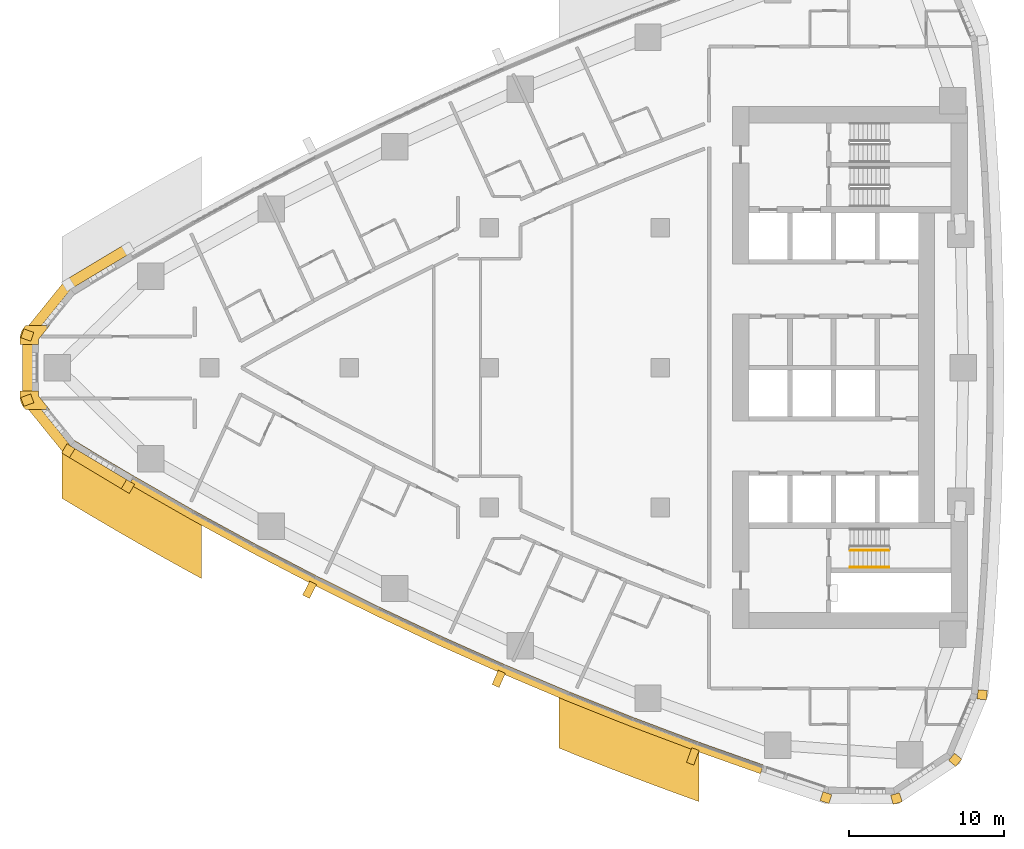
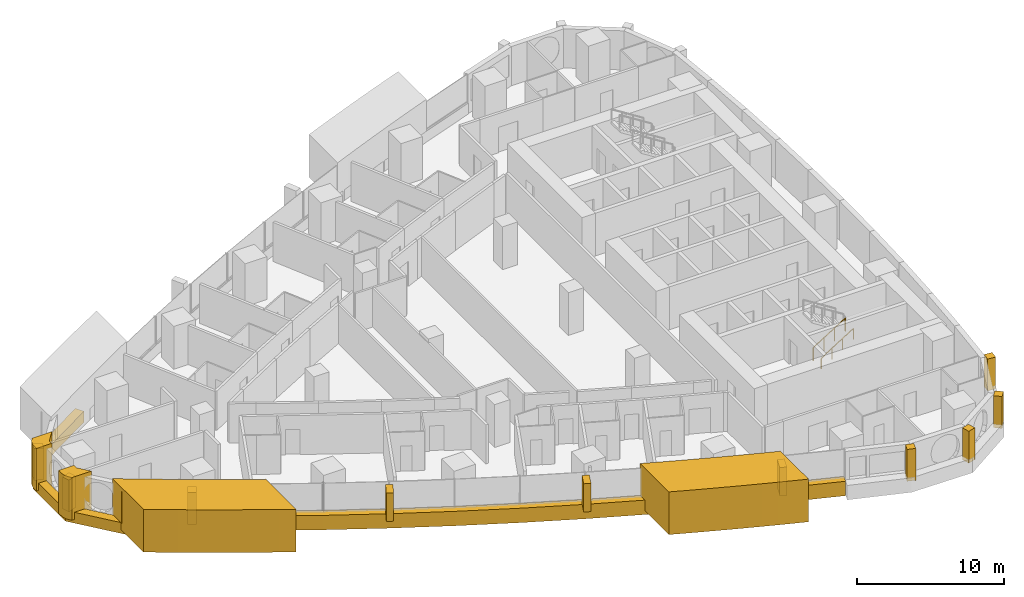
# One storey, part 14 of 17: 17 coverings, 2 railings.
"""IFC4 building model written with IfcOpenShell, lengths in metres."""

import ifcopenshell
import ifcopenshell.guid

model = None  # the IFC model being written
_history = None  # IfcOwnerHistory: only IFC2X3 demands one
_inside = {}  # id of a spatial element -> (the spatial element, [elements in it])
_under = {}  # id of a project, library or spatial element -> (it, [spatial elements below it])
_declared = {}  # id of a project -> (the project, [libraries it declares])
_typed = {}  # id of a type object -> (the type object, [elements of that type])
_made_of = {}  # id of a material, layer set ... -> (it, [elements and type objects made of it])


def new_model(schema):
    """Start an empty IFC model of exactly this schema.

    Asked for "IFC4X3", IfcOpenShell would pick the latest addendum, in which some entities
    have other attributes; the version numbers below select the first issue.
    IFC2X3 requires an IfcOwnerHistory on every rooted entity: one is made here for all.
    """
    global model, _history
    if schema == "IFC4X3":
        model = ifcopenshell.file(schema_version=(4, 3, 0, 0))
    else:
        model = ifcopenshell.file(schema=schema)
    _inside.clear()
    _under.clear()
    _declared.clear()
    _typed.clear()
    _made_of.clear()
    _history = None
    if model.schema == "IFC2X3":
        org = make("IfcOrganization", Name="unknown")
        user = make(
            "IfcPersonAndOrganization",
            ThePerson=make("IfcPerson", FamilyName="unknown"),
            TheOrganization=org,
        )
        app = make(
            "IfcApplication",
            ApplicationDeveloper=org,
            Version="unknown",
            ApplicationFullName="unknown",
            ApplicationIdentifier="unknown",
        )
        _history = make(
            "IfcOwnerHistory",
            OwningUser=user,
            OwningApplication=app,
            ChangeAction="ADDED",
            CreationDate=0,
        )
    return model


def make(cls, **values):
    """One entity of the class cls with the attributes given. An attribute that is None is left unset."""
    return model.create_entity(
        cls, **{name: value for name, value in values.items() if value is not None}
    )


def rooted(cls, **values):
    """An entity with a GlobalId (a new one), such as an element, a storey or a relation."""
    return make(cls, GlobalId=ifcopenshell.guid.new(), OwnerHistory=_history, **values)


def si_unit(unit_type, name, prefix=None):
    """IfcSIUnit, for example si_unit("LENGTHUNIT", "METRE", prefix="MILLI")."""
    return make("IfcSIUnit", UnitType=unit_type, Prefix=prefix, Name=name)


def assignment(units):
    """IfcUnitAssignment: the units of a project."""
    return None if units is None else make("IfcUnitAssignment", Units=units)


def point(xyz):
    """IfcCartesianPoint."""
    return None if xyz is None else make("IfcCartesianPoint", Coordinates=xyz)


def direction(xyz):
    """IfcDirection."""
    return None if xyz is None else make("IfcDirection", DirectionRatios=xyz)


def frame(location, z_axis=None, x_axis=None):
    """IfcAxis2Placement3D, a coordinate frame: its origin and axes. An axis left out is left unset."""
    return make(
        "IfcAxis2Placement3D",
        Location=point(location),
        Axis=direction(z_axis),
        RefDirection=direction(x_axis),
    )


def frame_2d(location, x_axis=None):
    """IfcAxis2Placement2D, a coordinate frame in the plane: its origin and x axis."""
    return make(
        "IfcAxis2Placement2D", Location=point(location), RefDirection=direction(x_axis)
    )


def origin():
    """The frame at (0, 0, 0) with its axes left unset."""
    return frame((0.0, 0.0, 0.0))


def origin_2d():
    """The frame at (0, 0) in the plane with its x axis left unset."""
    return frame_2d((0.0, 0.0))


def place(relative_to, where):
    """IfcLocalPlacement: puts the frame where relative to a parent placement (None: the world)."""
    return make(
        "IfcLocalPlacement", PlacementRelTo=relative_to, RelativePlacement=where
    )


def context(
    kind, dimensions, precision=None, world=None, true_north=None, identifier=None
):
    """IfcGeometricRepresentationContext, for example the 3D "Model" context."""
    return make(
        "IfcGeometricRepresentationContext",
        ContextIdentifier=identifier,
        ContextType=kind,
        CoordinateSpaceDimension=dimensions,
        Precision=precision,
        WorldCoordinateSystem=world,
        TrueNorth=true_north,
    )


def subcontext(parent, identifier, kind, view, scale=None):
    """IfcGeometricRepresentationSubContext, for example "Body" below "Model"."""
    return make(
        "IfcGeometricRepresentationSubContext",
        ContextIdentifier=identifier,
        ContextType=kind,
        ParentContext=parent,
        TargetScale=scale,
        TargetView=view,
    )


def project(units=None, contexts=None):
    """IfcProject with its units and contexts."""
    return rooted(
        "IfcProject",
        Name="project",
        RepresentationContexts=contexts,
        UnitsInContext=assignment(units),
    )


def spatial(cls, under=None, at=None, **own):
    """A site, building, storey or space (cls), placed at a placement, below another one or the project."""
    s = rooted(cls, ObjectPlacement=at, **own)
    if under is not None:
        _under.setdefault(under.id(), (under, []))[1].append(s)
    return s


def polyline(points):
    """IfcPolyline through the points."""
    return make("IfcPolyline", Points=[point(p) for p in points])


def profile(cls, at=None, kind="AREA", **sizes):
    """A parametric profile (cls). Its sizes go by their IFC names, for example OverallWidth=200.0."""
    return make(cls, ProfileType=kind, Position=at, **sizes)


def rectangle(**sizes):
    """IfcRectangleProfileDef."""
    return profile("IfcRectangleProfileDef", **sizes)


def circle(**sizes):
    """IfcCircleProfileDef."""
    return profile("IfcCircleProfileDef", **sizes)


def outline(outer, holes=None, kind="AREA"):
    """IfcArbitraryClosedProfileDef: a profile drawn as a closed curve; with holes, ...WithVoids."""
    if holes is None:
        return make("IfcArbitraryClosedProfileDef", ProfileType=kind, OuterCurve=outer)
    return make(
        "IfcArbitraryProfileDefWithVoids",
        ProfileType=kind,
        OuterCurve=outer,
        InnerCurves=holes,
    )


def extrude(swept, where, along, depth):
    """IfcExtrudedAreaSolid: the profile swept, set in the frame where, extruded along a direction by depth."""
    return make(
        "IfcExtrudedAreaSolid",
        SweptArea=swept,
        Position=where,
        ExtrudedDirection=direction(along),
        Depth=depth,
    )


def shape(context_of_items, identifier, shape_type, items):
    """IfcShapeRepresentation: the items that make up one representation, for example the "Body"."""
    return make(
        "IfcShapeRepresentation",
        ContextOfItems=context_of_items,
        RepresentationIdentifier=identifier,
        RepresentationType=shape_type,
        Items=items,
    )


def material(Name=None, Category=None):
    """IfcMaterial."""
    return make("IfcMaterial", Name=Name, Category=Category)


def layer(
    of_material, thickness, ventilated=None, Name=None, Category=None, Priority=None
):
    """IfcMaterialLayer: one layer of a wall or slab, of a material (None: an air gap)."""
    return make(
        "IfcMaterialLayer",
        Material=of_material,
        LayerThickness=thickness,
        IsVentilated=ventilated,
        Name=Name,
        Category=Category,
        Priority=Priority,
    )


def layer_set(layers, Name=None):
    """IfcMaterialLayerSet."""
    return make("IfcMaterialLayerSet", MaterialLayers=layers, LayerSetName=Name)


def made_of(thing, what):
    """Note that an element or type object is made of a material, layer set ...; save() writes the relation."""
    if what is not None:
        _made_of.setdefault(what.id(), (what, []))[1].append(thing)
    return thing


def type_object(cls, material=None, **own):
    """A type object (cls), such as IfcWallType, which elements share."""
    return made_of(rooted(cls, **own), material)


def element(
    cls,
    number,
    at=None,
    inside=None,
    cuts=None,
    type_object=None,
    material=None,
    context=None,
    identifier="Body",
    shape_type=None,
    held_by="IfcProductDefinitionShape",
    body=None,
    shapes=None,
    **own,
):
    """One element of the class cls, such as IfcWall. Its Tag is "e" and its number.

    at: its placement. inside: the storey or other place that contains it. cuts: it is an
    opening in that element (IfcRelVoidsElement). A single representation is given by context,
    identifier, shape_type and body (its items); several are given by shapes. held_by: the class
    of the entity that holds the representations. save() writes the other relations.
    """
    e = rooted(cls, Tag="e%d" % number, ObjectPlacement=at, **own)
    if body is not None:
        shapes = [shape(context, identifier, shape_type, body)]
    if shapes is not None:
        e.Representation = make(held_by, Representations=shapes)
    if inside is not None:
        _inside.setdefault(inside.id(), (inside, []))[1].append(e)
    if cuts is not None:
        rooted(
            "IfcRelVoidsElement", RelatingBuildingElement=cuts, RelatedOpeningElement=e
        )
    if type_object is not None:
        _typed.setdefault(type_object.id(), (type_object, []))[1].append(e)
    return made_of(e, material)


def aggregate(whole, parts):
    """IfcRelAggregates: a whole, such as a stair, and the parts it consists of."""
    return rooted("IfcRelAggregates", RelatingObject=whole, RelatedObjects=parts)


def save(model, path):
    """Write the relations noted so far, then the file.

    IfcRelAggregates (storeys below a building ...), IfcRelContainedInSpatialStructure (elements
    in a storey), IfcRelDefinesByType, IfcRelAssociatesMaterial and IfcRelDeclares: one each for
    every whole, place, type object, material and project.
    """
    for whole, parts in _under.values():
        aggregate(whole, parts)
    for where, things in _inside.values():
        rooted(
            "IfcRelContainedInSpatialStructure",
            RelatedElements=things,
            RelatingStructure=where,
        )
    for kind, things in _typed.values():
        rooted("IfcRelDefinesByType", RelatedObjects=things, RelatingType=kind)
    for what, things in _made_of.values():
        rooted("IfcRelAssociatesMaterial", RelatedObjects=things, RelatingMaterial=what)
    for by, libraries in _declared.values():
        rooted("IfcRelDeclares", RelatingContext=by, RelatedDefinitions=libraries)
    model.write(path)


model = new_model("IFC4")

# Units and contexts
model_context = context("Model", 3, precision=1e-05, world=origin(), true_north=direction((0.0, 1.0)))
body_context = subcontext(model_context, "Body", "Model", "MODEL_VIEW")
ifc_project = project(units=[si_unit("LENGTHUNIT", "METRE"), si_unit("AREAUNIT", "SQUARE_METRE"), si_unit("VOLUMEUNIT", "CUBIC_METRE"), si_unit("PLANEANGLEUNIT", "RADIAN"), si_unit("MASSUNIT", "GRAM", prefix="KILO")], contexts=[model_context])

# Site, building, storey
site_placement = place(None, origin())
site = spatial("IfcSite", under=ifc_project, at=site_placement, CompositionType="ELEMENT")
building_placement = place(site_placement, origin())
building = spatial("IfcBuilding", under=site, at=building_placement, Name="Ostrand Prow Hotel Tower", CompositionType="ELEMENT")
storey_placement = place(building_placement, frame((0.0, 0.0, 84.89990234375)))
storey = spatial("IfcBuildingStorey", under=building, at=storey_placement, Name="L19", CompositionType="ELEMENT", Elevation=84.89990234375)

# Coverings
ifc_material_1 = material(Name="Bronze anodised aluminium cladding", Category="aluminium")
ifc_layer_1 = layer(ifc_material_1, 0.60009765625)
ifc_layer_set_1 = layer_set([ifc_layer_1], Name="Bronze anodised aluminium cladding")
covering_type_1 = type_object("IfcCoveringType", Name="Bronze prow band 899x600", PredefinedType="CLADDING", material=ifc_layer_set_1)
covering_1_placement = place(storey_placement, frame((0.0, 0.0, -0.2998046875)))
element("IfcCovering", 1, at=covering_1_placement, inside=storey, type_object=covering_type_1, Name="Bronze prow band", PredefinedType="CLADDING", context=body_context, shape_type="SweptSolid", body=[
    extrude(outline(polyline([(10.580810546875, 7.9453125), (6.734130859375, 5.637939453125), (3.957763671875, 2.206787109375), (3.957763671875, -2.206787109375), (6.734130859375, -5.637939453125), (10.580810546875, -7.9453125), (10.9248046875, -7.358642578125), (7.089599609375, -5.058349609375), (4.598876953125, -1.97998046875), (4.598876953125, 1.97998046875), (7.089599609375, 5.058349609375), (10.9248046875, 7.358642578125), (10.580810546875, 7.9453125)])), origin(), (0.0, 0.0, 1.0), 0.89990234375),
])
ifc_material_2 = material(Name="Bronze anodised aluminium cladding", Category="aluminium")
ifc_layer_2 = layer(ifc_material_2, 0.60009765625)
ifc_layer_set_2 = layer_set([ifc_layer_2], Name="Bronze anodised aluminium cladding")
covering_type_2 = type_object("IfcCoveringType", Name="Bronze spandrel band 1200x600", PredefinedType="CLADDING", material=ifc_layer_set_2)
covering_2_placement = place(storey_placement, frame((0.0, 0.0, -0.2998046875)))
element("IfcCovering", 2, at=covering_2_placement, inside=storey, type_object=covering_type_2, Name="Spandrel band S1", PredefinedType="CLADDING", context=body_context, shape_type="SweptSolid", body=[
    extrude(outline(polyline([(10.841064453125, -7.50146484375), (14.72412109375, -9.726318359375), (18.651123046875, -11.872802734375), (22.620361328125, -13.940185546875), (26.6298828125, -15.927734375), (30.6787109375, -17.834716796875), (34.764892578125, -19.659912109375), (38.88671875, -21.4033203125), (43.042724609375, -23.0634765625), (47.231201171875, -24.64013671875), (51.4501953125, -26.1328125), (51.644775390625, -25.56494140625), (47.43701171875, -24.076416015625), (43.259765625, -22.504150390625), (39.114990234375, -20.848388671875), (35.004150390625, -19.10986328125), (30.928955078125, -17.289306640625), (26.89111328125, -15.3876953125), (22.89208984375, -13.4052734375), (18.93359375, -11.343505859375), (15.01708984375, -9.20263671875), (11.144287109375, -6.98388671875), (10.841064453125, -7.50146484375)])), origin(), (0.0, 0.0, 1.0), 1.199951171875),
])
ifc_material_3 = material(Name="Limestone cladding", Category="masonry")
ifc_layer_3 = layer(ifc_material_3, 5.0)
ifc_layer_set_3 = layer_set([ifc_layer_3], Name="Limestone cladding")
covering_type_3 = type_object("IfcCoveringType", Name="Portal jamb pilaster limestone", PredefinedType="CLADDING", material=ifc_layer_set_3)
covering_3_placement = place(storey_placement, origin())
element("IfcCovering", 3, at=covering_3_placement, inside=storey, type_object=covering_type_3, Name="Portal jamb SA L19", PredefinedType="CLADDING", context=body_context, shape_type="SweptSolid", body=[
    extrude(outline(polyline([(6.5, -4.184326171875), (6.5, -8.40625), (7.5, -9.0087890625), (8.5, -9.604248046875), (9.5, -10.19287109375), (10.5, -10.7744140625), (11.5, -11.349365234375), (12.5, -11.91748046875), (13.5, -12.478759765625), (14.5, -13.03369140625), (15.5, -13.581787109375), (15.5, -9.47216796875), (14.5, -8.912353515625), (13.5, -8.345703125), (12.5, -7.772216796875), (11.5, -7.19189453125), (10.5, -6.6044921875), (9.5, -6.01025390625), (8.5, -5.40869140625), (7.5, -4.80029296875), (6.5, -4.184326171875)])), origin(), (0.0, 0.0, 1.0), 3.550048828125),
])
covering_4_placement = place(storey_placement, origin())
element("IfcCovering", 4, at=covering_4_placement, inside=storey, type_object=covering_type_3, Name="Portal jamb SB L19", PredefinedType="CLADDING", context=body_context, shape_type="SweptSolid", body=[
    extrude(outline(polyline([(38.5, -20.59423828125), (38.5, -24.486083984375), (39.5, -24.890380859375), (40.5, -25.2890625), (41.5, -25.68212890625), (42.5, -26.06982421875), (43.5, -26.4521484375), (44.5, -26.8291015625), (45.5, -27.200439453125), (46.5, -27.566650390625), (47.5, -27.927490234375), (47.5, -24.099609375), (46.5, -23.732177734375), (45.5, -23.359130859375), (44.5, -22.98095703125), (43.5, -22.59716796875), (42.5, -22.207763671875), (41.5, -21.812744140625), (40.5, -21.412353515625), (39.5, -21.006103515625), (38.5, -20.59423828125)])), origin(), (0.0, 0.0, 1.0), 3.550048828125),
])
ifc_material_4 = material(Name="Limestone cladding", Category="masonry")
ifc_layer_4 = layer(ifc_material_4, 0.5)
ifc_layer_set_4 = layer_set([ifc_layer_4], Name="Limestone cladding")
covering_type_4 = type_object("IfcCoveringType", Name="Precast stone fin 500x900", PredefinedType="CLADDING", material=ifc_layer_set_4)
covering_5_placement = place(storey_placement, frame((22.66552734375, -13.85107421875, 0.900146484375), z_axis=(0.0, 0.0, 1.0), x_axis=(-0.453062569589, -0.891478719902, 0.0)))
element("IfcCovering", 5, at=covering_5_placement, inside=storey, type_object=covering_type_4, Name="Stone fin S 4", PredefinedType="CLADDING", context=body_context, shape_type="SweptSolid", body=[
    extrude(rectangle(XDim=1.000244140625, YDim=0.5, at=frame_2d((0.5, 0.0))), origin(), (0.0, 0.0, 1.0), 2.349853515625),
])
for number, where, z_axis, x_axis, name in (
    (6, (34.8046875, -19.568359375, 0.900146484375), (0.0, 0.0, 1.0), (-0.398717183359, -0.917073937965, 0.0), "Stone fin S 7"),
    (7, (47.265380859375, -24.546142578125, 0.900146484375), (0.0, 0.0, 1.0), (-0.342762160206, -0.93942221686, 0.0), "Stone fin S 10"),
):
    element("IfcCovering", number, at=place(storey_placement, frame(where, z_axis=z_axis, x_axis=x_axis)), inside=storey, type_object=covering_type_4, Name=name, PredefinedType="CLADDING", context=body_context, shape_type="SweptSolid", body=[
        extrude(rectangle(XDim=1.0, YDim=0.5, at=frame_2d((0.5, 0.0))), origin(), (0.0, 0.0, 1.0), 2.349853515625),
    ])
ifc_material_5 = material(Name="Limestone cladding", Category="masonry")
ifc_layer_5 = layer(ifc_material_5, 0.60009765625)
ifc_layer_set_5 = layer_set([ifc_layer_5], Name="Limestone cladding")
covering_type_5 = type_object("IfcCoveringType", Name="Precast stone prow rib 600x600", PredefinedType="CLADDING", material=ifc_layer_set_5)
for number, where, z_axis, x_axis, name in (
    (8, (4.598876953125, 1.97998046875, 0.60009765625), (0.0, 0.0, 1.0), (-0.942744850171, 0.333514838465, 0.0), "Stone prow rib 3"),
    (9, (4.598876953125, -1.97998046875, 0.60009765625), (0.0, 0.0, 1.0), (-0.942744850171, -0.333514838465, 0.0), "Stone prow rib 4"),
    (10, (7.089599609375, -5.058349609375, 0.60009765625), (0.0, 0.0, 1.0), (-0.522814637618, -0.852446394029, 0.0), "Stone prow rib 5"),
):
    element("IfcCovering", number, at=place(storey_placement, frame(where, z_axis=z_axis, x_axis=x_axis)), inside=storey, type_object=covering_type_5, Name=name, PredefinedType="CLADDING", context=body_context, shape_type="SweptSolid", body=[
        extrude(rectangle(XDim=0.679931640625, YDim=0.60009765625, at=frame_2d((0.33984375, 0.0))), origin(), (0.0, 0.0, 1.0), 2.64990234375),
    ])
covering_6_placement = place(storey_placement, frame((10.9248046875, -7.358642578125, 0.60009765625), z_axis=(0.0, 0.0, 1.0), x_axis=(-0.505811626043, -0.862643958397, 0.0)))
element("IfcCovering", 11, at=covering_6_placement, inside=storey, type_object=covering_type_5, Name="Stone prow rib 6", PredefinedType="CLADDING", context=body_context, shape_type="SweptSolid", body=[
    extrude(rectangle(XDim=0.68017578125, YDim=0.60009765625, at=frame_2d((0.340087890625, 0.0))), origin(), (0.0, 0.0, 1.0), 2.64990234375),
])
covering_7_placement = place(storey_placement, frame((55.7490234375, -27.3828125, 0.60009765625), z_axis=(0.0, 0.0, 1.0), x_axis=(-0.305218682065, -0.952282288042, 0.0)))
element("IfcCovering", 12, at=covering_7_placement, inside=storey, type_object=covering_type_5, Name="Stone corner rib 2a", PredefinedType="CLADDING", context=body_context, shape_type="SweptSolid", body=[
    extrude(rectangle(XDim=0.599853515625, YDim=0.60009765625, at=frame_2d((0.2998046875, 0.0))), origin(), (0.0, 0.0, 1.0), 2.64990234375),
])
covering_8_placement = place(storey_placement, frame((60.104736328125, -27.437744140625, 0.60009765625), z_axis=(0.0, 0.0, 1.0), x_axis=(0.280734221166, -0.959785547436, 0.0)))
element("IfcCovering", 13, at=covering_8_placement, inside=storey, type_object=covering_type_5, Name="Stone corner rib 3a", PredefinedType="CLADDING", context=body_context, shape_type="SweptSolid", body=[
    extrude(rectangle(XDim=0.60009765625, YDim=0.60009765625, at=frame_2d((0.300048828125, 0.0))), origin(), (0.0, 0.0, 1.0), 2.64990234375),
])
for number, where, z_axis, x_axis, name in (
    (14, (63.74365234375, -25.043212890625, 0.60009765625), (0.0, 0.0, 1.0), (0.770318500913, -0.637659319034, 0.0), "Stone corner rib 4a"),
    (15, (65.41650390625, -21.02099609375, 0.60009765625), (0.0, 0.0, 1.0), (0.99529571972, -0.096883591531, 0.0), "Stone corner rib 4b"),
):
    element("IfcCovering", number, at=place(storey_placement, frame(where, z_axis=z_axis, x_axis=x_axis)), inside=storey, type_object=covering_type_5, Name=name, PredefinedType="CLADDING", context=body_context, shape_type="SweptSolid", body=[
        extrude(rectangle(XDim=0.599853515625, YDim=0.60009765625, at=frame_2d((0.2998046875, 0.0))), origin(), (0.0, 0.0, 1.0), 2.64990234375),
    ])
ifc_material_6 = material(Name="Limestone cladding", Category="masonry")
ifc_layer_6 = layer(ifc_material_6, 3.0)
ifc_layer_set_6 = layer_set([ifc_layer_6], Name="Limestone cladding")
covering_type_6 = type_object("IfcCoveringType", Name="Prow nose pier limestone", PredefinedType="CLADDING", material=ifc_layer_set_6)
covering_9_placement = place(storey_placement, origin())
element("IfcCovering", 16, at=covering_9_placement, inside=storey, type_object=covering_type_6, Name="Prow spine fin N L19", PredefinedType="CLADDING", context=body_context, shape_type="SweptSolid", body=[
    extrude(outline(polyline([(3.808349609375, 1.8349609375), (3.808349609375, 1.5), (5.00830078125, 1.5), (5.00830078125, 1.8349609375), (5.708251953125, 2.699951171875), (4.16455078125, 2.699951171875), (4.075439453125, 2.58984375), (4.006591796875, 2.495849609375), (3.947265625, 2.3955078125), (3.897705078125, 2.289794921875), (3.85888671875, 2.179931640625), (3.830810546875, 2.06689453125), (3.81396484375, 1.951416015625), (3.808349609375, 1.8349609375)])), origin(), (0.0, 0.0, 1.0), 3.550048828125),
])
covering_10_placement = place(storey_placement, origin())
element("IfcCovering", 17, at=covering_10_placement, inside=storey, type_object=covering_type_6, Name="Prow spine fin S L19", PredefinedType="CLADDING", context=body_context, shape_type="SweptSolid", body=[
    extrude(outline(polyline([(4.075439453125, -2.58984375), (4.16455078125, -2.699951171875), (5.708251953125, -2.699951171875), (5.00830078125, -1.8349609375), (5.00830078125, -1.5), (3.808349609375, -1.5), (3.808349609375, -1.8349609375), (3.81396484375, -1.951416015625), (3.830810546875, -2.06689453125), (3.85888671875, -2.179931640625), (3.897705078125, -2.289794921875), (3.947265625, -2.3955078125), (4.006591796875, -2.495849609375), (4.075439453125, -2.58984375)])), origin(), (0.0, 0.0, 1.0), 3.550048828125),
])

# Railings
ifc_material_7 = material(Name="Painted steel", Category="steel")
railing_type_1 = type_object("IfcRailingType", Name="Stair guard 1100", PredefinedType="GUARDRAIL", material=ifc_material_7)
railing_1_placement = place(storey_placement, frame((57.199951171875, -11.75, 0.177490234375)))
element("IfcRailing", 18, at=railing_1_placement, inside=storey, type_object=railing_type_1, Name="L19 ST2C stair guard 1", PredefinedType="GUARDRAIL", context=body_context, shape_type="SweptSolid", body=[
    extrude(circle(Radius=0.02392578125, at=origin_2d()), frame((0.0, 0.0, 1.076171875), z_axis=(0.84456994832, 0.0, 0.535445237532), x_axis=(0.0, 1.0, 0.0)), (0.0, 0.0, 1.0), 2.98388671875),
    extrude(circle(Radius=0.02099609375, at=origin_2d()), origin(), (0.0, 0.0, 1.0), 1.052001953125),
    extrude(circle(Radius=0.02099609375, at=origin_2d()), frame((0.840087890625, 0.0, 0.532470703125)), (0.0, 0.0, 1.0), 1.052001953125),
    extrude(circle(Radius=0.02099609375, at=origin_2d()), frame((1.679931640625, 0.0, 1.065185546875)), (0.0, 0.0, 1.0), 1.052001953125),
    extrude(circle(Radius=0.02099609375, at=origin_2d()), frame((2.52001953125, 0.0, 1.59765625)), (0.0, 0.0, 1.0), 1.052001953125),
])
ifc_material_8 = material(Name="Stainless steel", Category="steel")
railing_type_2 = type_object("IfcRailingType", Name="Stair handrail 900", PredefinedType="HANDRAIL", material=ifc_material_8)
railing_2_placement = place(storey_placement, frame((57.199951171875, -12.85009765625, 0.177490234375)))
element("IfcRailing", 19, at=railing_2_placement, inside=storey, type_object=railing_type_2, Name="L19 ST2C stair handrail 1", PredefinedType="HANDRAIL", context=body_context, shape_type="SweptSolid", body=[
    extrude(circle(Radius=0.02392578125, at=origin_2d()), frame((0.0, 0.0, 0.8759765625), z_axis=(0.84456994832, 0.0, 0.535445237532), x_axis=(0.0, 1.0, 0.0)), (0.0, 0.0, 1.0), 2.98388671875),
    extrude(circle(Radius=0.02099609375, at=origin_2d()), origin(), (0.0, 0.0, 1.0), 0.851806640625),
    extrude(circle(Radius=0.02099609375, at=origin_2d()), frame((0.840087890625, 0.0, 0.532470703125)), (0.0, 0.0, 1.0), 0.851806640625),
    extrude(circle(Radius=0.02099609375, at=origin_2d()), frame((1.679931640625, 0.0, 1.065185546875)), (0.0, 0.0, 1.0), 0.851806640625),
    extrude(circle(Radius=0.02099609375, at=origin_2d()), frame((2.52001953125, 0.0, 1.59765625)), (0.0, 0.0, 1.0), 0.851806640625),
])

save(model, "model.ifc")
